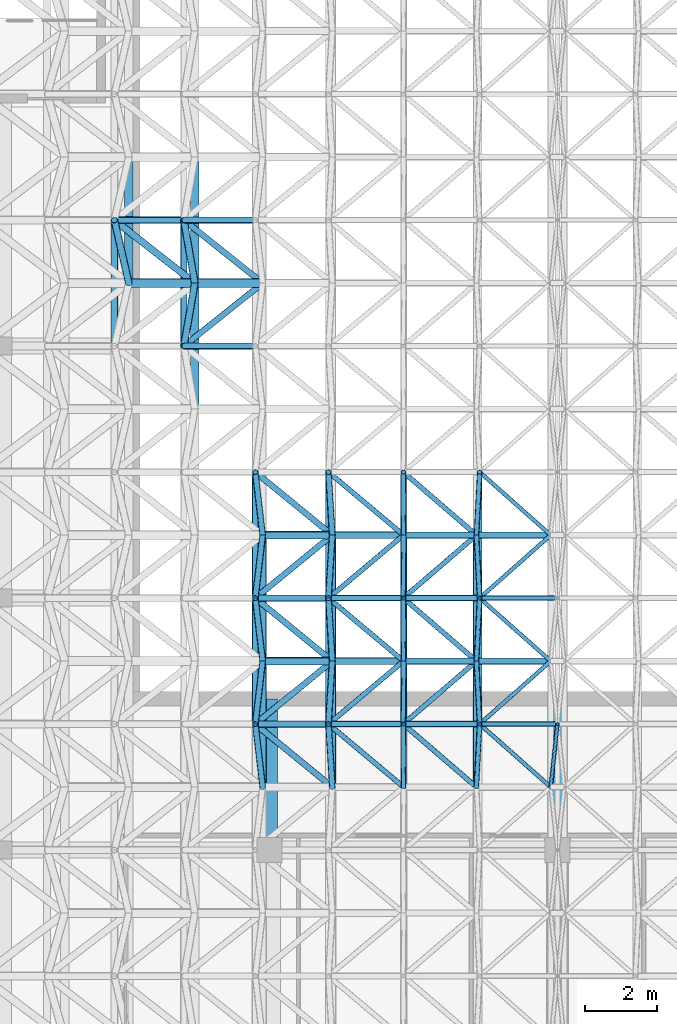
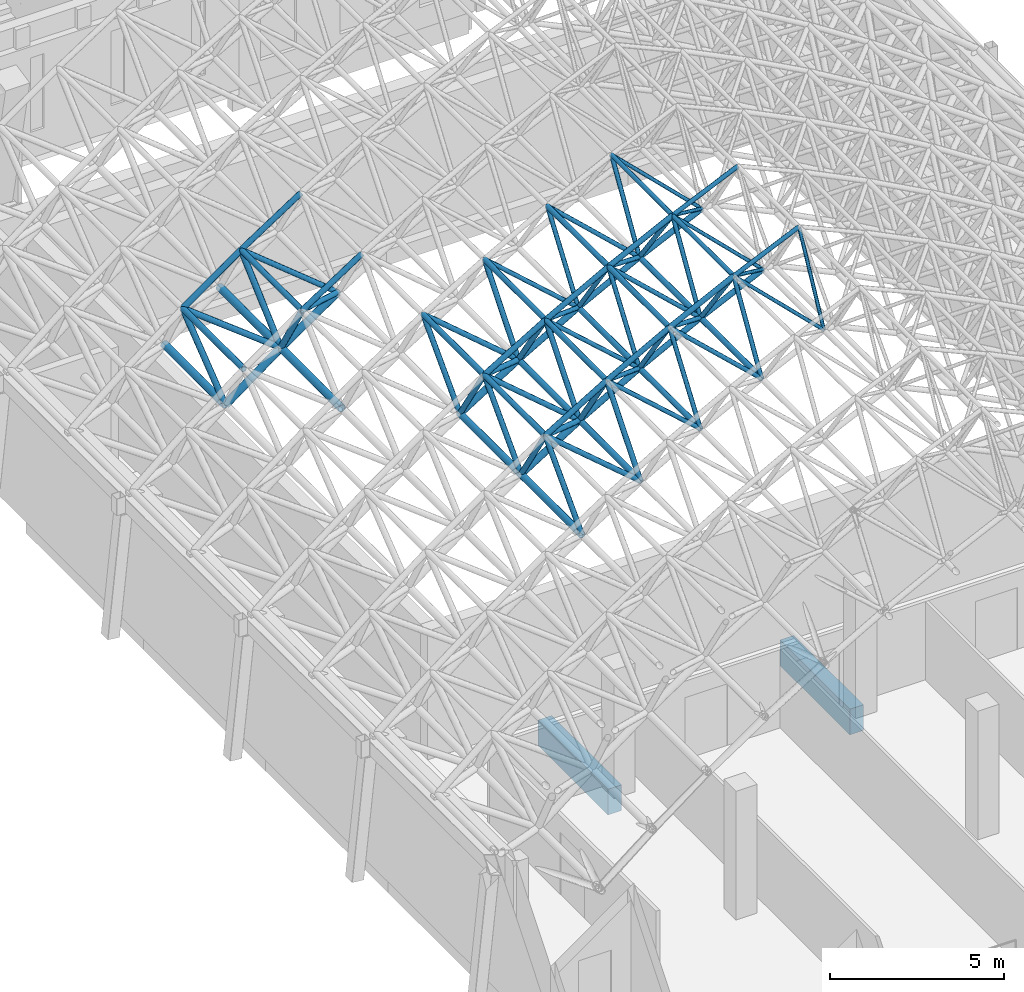
# One storey, part 44 of 141: 89 members, 2 beams.
"""IFC4 building model written with IfcOpenShell, lengths in metres."""

import ifcopenshell
import ifcopenshell.guid

model = None  # the IFC model being written
_history = None  # IfcOwnerHistory: only IFC2X3 demands one
_inside = {}  # id of a spatial element -> (the spatial element, [elements in it])
_under = {}  # id of a project, library or spatial element -> (it, [spatial elements below it])
_declared = {}  # id of a project -> (the project, [libraries it declares])
_typed = {}  # id of a type object -> (the type object, [elements of that type])
_made_of = {}  # id of a material, layer set ... -> (it, [elements and type objects made of it])


def new_model(schema):
    """Start an empty IFC model of exactly this schema.

    Asked for "IFC4X3", IfcOpenShell would pick the latest addendum, in which some entities
    have other attributes; the version numbers below select the first issue.
    IFC2X3 requires an IfcOwnerHistory on every rooted entity: one is made here for all.
    """
    global model, _history
    if schema == "IFC4X3":
        model = ifcopenshell.file(schema_version=(4, 3, 0, 0))
    else:
        model = ifcopenshell.file(schema=schema)
    _inside.clear()
    _under.clear()
    _declared.clear()
    _typed.clear()
    _made_of.clear()
    _history = None
    if model.schema == "IFC2X3":
        org = make("IfcOrganization", Name="unknown")
        user = make(
            "IfcPersonAndOrganization",
            ThePerson=make("IfcPerson", FamilyName="unknown"),
            TheOrganization=org,
        )
        app = make(
            "IfcApplication",
            ApplicationDeveloper=org,
            Version="unknown",
            ApplicationFullName="unknown",
            ApplicationIdentifier="unknown",
        )
        _history = make(
            "IfcOwnerHistory",
            OwningUser=user,
            OwningApplication=app,
            ChangeAction="ADDED",
            CreationDate=0,
        )
    return model


def make(cls, **values):
    """One entity of the class cls with the attributes given. An attribute that is None is left unset."""
    return model.create_entity(
        cls, **{name: value for name, value in values.items() if value is not None}
    )


def rooted(cls, **values):
    """An entity with a GlobalId (a new one), such as an element, a storey or a relation."""
    return make(cls, GlobalId=ifcopenshell.guid.new(), OwnerHistory=_history, **values)


def si_unit(unit_type, name, prefix=None):
    """IfcSIUnit, for example si_unit("LENGTHUNIT", "METRE", prefix="MILLI")."""
    return make("IfcSIUnit", UnitType=unit_type, Prefix=prefix, Name=name)


def assignment(units):
    """IfcUnitAssignment: the units of a project."""
    return None if units is None else make("IfcUnitAssignment", Units=units)


def point(xyz):
    """IfcCartesianPoint."""
    return None if xyz is None else make("IfcCartesianPoint", Coordinates=xyz)


def direction(xyz):
    """IfcDirection."""
    return None if xyz is None else make("IfcDirection", DirectionRatios=xyz)


def frame(location, z_axis=None, x_axis=None):
    """IfcAxis2Placement3D, a coordinate frame: its origin and axes. An axis left out is left unset."""
    return make(
        "IfcAxis2Placement3D",
        Location=point(location),
        Axis=direction(z_axis),
        RefDirection=direction(x_axis),
    )


def frame_2d(location, x_axis=None):
    """IfcAxis2Placement2D, a coordinate frame in the plane: its origin and x axis."""
    return make(
        "IfcAxis2Placement2D", Location=point(location), RefDirection=direction(x_axis)
    )


def origin():
    """The frame at (0, 0, 0) with its axes left unset."""
    return frame((0.0, 0.0, 0.0))


def origin_2d():
    """The frame at (0, 0) in the plane with its x axis left unset."""
    return frame_2d((0.0, 0.0))


def place(relative_to, where):
    """IfcLocalPlacement: puts the frame where relative to a parent placement (None: the world)."""
    return make(
        "IfcLocalPlacement", PlacementRelTo=relative_to, RelativePlacement=where
    )


def context(
    kind, dimensions, precision=None, world=None, true_north=None, identifier=None
):
    """IfcGeometricRepresentationContext, for example the 3D "Model" context."""
    return make(
        "IfcGeometricRepresentationContext",
        ContextIdentifier=identifier,
        ContextType=kind,
        CoordinateSpaceDimension=dimensions,
        Precision=precision,
        WorldCoordinateSystem=world,
        TrueNorth=true_north,
    )


def subcontext(parent, identifier, kind, view, scale=None):
    """IfcGeometricRepresentationSubContext, for example "Body" below "Model"."""
    return make(
        "IfcGeometricRepresentationSubContext",
        ContextIdentifier=identifier,
        ContextType=kind,
        ParentContext=parent,
        TargetScale=scale,
        TargetView=view,
    )


def project(units=None, contexts=None):
    """IfcProject with its units and contexts."""
    return rooted(
        "IfcProject",
        Name="project",
        RepresentationContexts=contexts,
        UnitsInContext=assignment(units),
    )


def spatial(cls, under=None, at=None, **own):
    """A site, building, storey or space (cls), placed at a placement, below another one or the project."""
    s = rooted(cls, ObjectPlacement=at, **own)
    if under is not None:
        _under.setdefault(under.id(), (under, []))[1].append(s)
    return s


def profile(cls, at=None, kind="AREA", **sizes):
    """A parametric profile (cls). Its sizes go by their IFC names, for example OverallWidth=200.0."""
    return make(cls, ProfileType=kind, Position=at, **sizes)


def rectangle(**sizes):
    """IfcRectangleProfileDef."""
    return profile("IfcRectangleProfileDef", **sizes)


def hollow_circle(**sizes):
    """IfcCircleHollowProfileDef."""
    return profile("IfcCircleHollowProfileDef", **sizes)


def extrude(swept, where, along, depth):
    """IfcExtrudedAreaSolid: the profile swept, set in the frame where, extruded along a direction by depth."""
    return make(
        "IfcExtrudedAreaSolid",
        SweptArea=swept,
        Position=where,
        ExtrudedDirection=direction(along),
        Depth=depth,
    )


def shape(context_of_items, identifier, shape_type, items):
    """IfcShapeRepresentation: the items that make up one representation, for example the "Body"."""
    return make(
        "IfcShapeRepresentation",
        ContextOfItems=context_of_items,
        RepresentationIdentifier=identifier,
        RepresentationType=shape_type,
        Items=items,
    )


def material(Name=None, Category=None):
    """IfcMaterial."""
    return make("IfcMaterial", Name=Name, Category=Category)


def material_profile(
    of_material, cross_section, Name=None, Category=None, Priority=None
):
    """IfcMaterialProfile: a cross section and its material."""
    return make(
        "IfcMaterialProfile",
        Name=Name,
        Material=of_material,
        Profile=cross_section,
        Priority=Priority,
        Category=Category,
    )


def profile_set(profiles, Name=None, composite=None):
    """IfcMaterialProfileSet."""
    return make(
        "IfcMaterialProfileSet",
        Name=Name,
        MaterialProfiles=profiles,
        CompositeProfile=composite,
    )


def made_of(thing, what):
    """Note that an element or type object is made of a material, layer set ...; save() writes the relation."""
    if what is not None:
        _made_of.setdefault(what.id(), (what, []))[1].append(thing)
    return thing


def type_object(cls, material=None, **own):
    """A type object (cls), such as IfcWallType, which elements share."""
    return made_of(rooted(cls, **own), material)


def element(
    cls,
    number,
    at=None,
    inside=None,
    cuts=None,
    type_object=None,
    material=None,
    context=None,
    identifier="Body",
    shape_type=None,
    held_by="IfcProductDefinitionShape",
    body=None,
    shapes=None,
    **own,
):
    """One element of the class cls, such as IfcWall. Its Tag is "e" and its number.

    at: its placement. inside: the storey or other place that contains it. cuts: it is an
    opening in that element (IfcRelVoidsElement). A single representation is given by context,
    identifier, shape_type and body (its items); several are given by shapes. held_by: the class
    of the entity that holds the representations. save() writes the other relations.
    """
    e = rooted(cls, Tag="e%d" % number, ObjectPlacement=at, **own)
    if body is not None:
        shapes = [shape(context, identifier, shape_type, body)]
    if shapes is not None:
        e.Representation = make(held_by, Representations=shapes)
    if inside is not None:
        _inside.setdefault(inside.id(), (inside, []))[1].append(e)
    if cuts is not None:
        rooted(
            "IfcRelVoidsElement", RelatingBuildingElement=cuts, RelatedOpeningElement=e
        )
    if type_object is not None:
        _typed.setdefault(type_object.id(), (type_object, []))[1].append(e)
    return made_of(e, material)


def aggregate(whole, parts):
    """IfcRelAggregates: a whole, such as a stair, and the parts it consists of."""
    return rooted("IfcRelAggregates", RelatingObject=whole, RelatedObjects=parts)


def save(model, path):
    """Write the relations noted so far, then the file.

    IfcRelAggregates (storeys below a building ...), IfcRelContainedInSpatialStructure (elements
    in a storey), IfcRelDefinesByType, IfcRelAssociatesMaterial and IfcRelDeclares: one each for
    every whole, place, type object, material and project.
    """
    for whole, parts in _under.values():
        aggregate(whole, parts)
    for where, things in _inside.values():
        rooted(
            "IfcRelContainedInSpatialStructure",
            RelatedElements=things,
            RelatingStructure=where,
        )
    for kind, things in _typed.values():
        rooted("IfcRelDefinesByType", RelatedObjects=things, RelatingType=kind)
    for what, things in _made_of.values():
        rooted("IfcRelAssociatesMaterial", RelatedObjects=things, RelatingMaterial=what)
    for by, libraries in _declared.values():
        rooted("IfcRelDeclares", RelatingContext=by, RelatedDefinitions=libraries)
    model.write(path)


model = new_model("IFC4")

# Units and contexts
model_context = context("Model", 3, precision=1e-05, world=origin(), true_north=direction((0.0, 1.0)))
body_context = subcontext(model_context, "Body", "Model", "MODEL_VIEW")
ifc_project = project(units=[si_unit("LENGTHUNIT", "METRE"), si_unit("AREAUNIT", "SQUARE_METRE"), si_unit("VOLUMEUNIT", "CUBIC_METRE"), si_unit("PLANEANGLEUNIT", "RADIAN"), si_unit("MASSUNIT", "GRAM", prefix="KILO")], contexts=[model_context])

# Site, building, storey
site_placement = place(None, origin())
site = spatial("IfcSite", under=ifc_project, at=site_placement, CompositionType="ELEMENT")
building_placement = place(site_placement, origin())
building = spatial("IfcBuilding", under=site, at=building_placement, Name="Lantern Court Media Centre", CompositionType="ELEMENT")
storey_placement = place(building_placement, frame((0.0, 0.0, 9.60009765625)))
storey = spatial("IfcBuildingStorey", under=building, at=storey_placement, Name="L02", CompositionType="ELEMENT", Elevation=9.60009765625)

# Beams
ifc_material_1 = material(Name="Concrete C35", Category="concrete")
ifc_material_profile_1 = material_profile(ifc_material_1, rectangle(XDim=0.449951171875, YDim=0.89990234375, at=origin_2d()), Name="RC 450x900")
ifc_profile_set_1 = profile_set([ifc_material_profile_1], Name="Concrete C35")
beam_type = type_object("IfcBeamType", Name="RC BEAM 450x900", PredefinedType="BEAM", material=ifc_profile_set_1)
for number, where, z_axis, x_axis, name in (
    (1, (80.0, 12.199951171875, -0.4501953125), (0.0, 1.0, 0.0), (-1.0, 0.0, 0.0), "HB-V2-L02-FY1-2"),
    (2, (88.0, 12.199951171875, -0.4501953125), (0.0, 1.0, 0.0), (-1.0, 0.0, 0.0), "HB-V2-L02-FY2-2"),
):
    element("IfcBeam", number, at=place(storey_placement, frame(where, z_axis=z_axis, x_axis=x_axis)), inside=storey, type_object=beam_type, Name=name, PredefinedType="BEAM", context=body_context, shape_type="SweptSolid", body=[
        extrude(rectangle(XDim=0.449951171875, YDim=0.89990234375, at=origin_2d()), origin(), (0.0, 0.0, 1.0), 4.0),
    ])

# Members
ifc_material_2 = material(Name="Steel S355J2 (EN 10025-2)", Category="steel")
ifc_material_profile_2 = material_profile(ifc_material_2, hollow_circle(Radius=0.0888671875, WallThickness=0.008056640625, at=origin_2d()), Name="Studio Hall bottom CHS 177.8x8")
ifc_profile_set_2 = profile_set([ifc_material_profile_2], Name="Steel S355J2 (EN 10025-2)")
member_type_1 = type_object("IfcMemberType", Name="Studio Hall bottom CHS 177.8x8", PredefinedType="CHORD", material=ifc_profile_set_2)
for number, where, z_axis, x_axis, name in (
    (3, (83.724365234375, 13.75, 10.2939453125), (0.0, 1.0, 0.0), (-1.0, 0.0, 0.0), "Studio Hall bottom chord 06-05"),
    (4, (85.748291015625, 13.75, 11.3466796875), (0.0, 1.0, 0.0), (-1.0, 0.0, 0.0), "Studio Hall bottom chord 07-05"),
    (5, (83.724365234375, 17.25, 10.2939453125), (0.0, 1.0, 0.0), (-1.0, 0.0, 0.0), "Studio Hall bottom chord 06-06"),
    (6, (85.748291015625, 17.25, 11.3466796875), (0.0, 1.0, 0.0), (-1.0, 0.0, 0.0), "Studio Hall bottom chord 07-06"),
):
    element("IfcMember", number, at=place(storey_placement, frame(where, z_axis=z_axis, x_axis=x_axis)), inside=storey, type_object=member_type_1, Name=name, PredefinedType="CHORD", context=body_context, shape_type="SweptSolid", body=[
        extrude(hollow_circle(Radius=0.0888671875, WallThickness=0.008056640625, at=origin_2d()), origin(), (0.0, 0.0, 1.0), 3.5),
    ])
member_1_placement = place(storey_placement, frame((83.724365234375, 17.25, 10.2939453125), z_axis=(0.887164230848, 0.0, 0.461453819471), x_axis=(0.0, 1.0, 0.0)))
element("IfcMember", 7, at=member_1_placement, inside=storey, type_object=member_type_1, Name="Studio Hall bottom chord 06-06 across", PredefinedType="CHORD", context=body_context, shape_type="SweptSolid", body=[
    extrude(hollow_circle(Radius=0.0888671875, WallThickness=0.008056640625, at=origin_2d()), origin(), (0.0, 0.0, 1.0), 2.28125),
])
member_2_placement = place(storey_placement, frame((85.748291015625, 17.25, 11.3466796875), z_axis=(0.904668285171, 0.0, 0.426116526088), x_axis=(0.0, 1.0, 0.0)))
element("IfcMember", 8, at=member_2_placement, inside=storey, type_object=member_type_1, Name="Studio Hall bottom chord 07-06 across", PredefinedType="CHORD", context=body_context, shape_type="SweptSolid", body=[
    extrude(hollow_circle(Radius=0.0888671875, WallThickness=0.008056640625, at=origin_2d()), origin(), (0.0, 0.0, 1.0), 2.281494140625),
])
member_3_placement = place(storey_placement, frame((83.724365234375, 20.75, 10.2939453125), z_axis=(0.887164230848, 0.0, 0.461453819471), x_axis=(0.0, 1.0, 0.0)))
element("IfcMember", 9, at=member_3_placement, inside=storey, type_object=member_type_1, Name="Studio Hall bottom chord 06-07 across", PredefinedType="CHORD", context=body_context, shape_type="SweptSolid", body=[
    extrude(hollow_circle(Radius=0.0888671875, WallThickness=0.008056640625, at=origin_2d()), origin(), (0.0, 0.0, 1.0), 2.28125),
])
member_4_placement = place(storey_placement, frame((85.748291015625, 20.75, 11.3466796875), z_axis=(0.904668285171, 0.0, 0.426116526088), x_axis=(0.0, 1.0, 0.0)))
element("IfcMember", 10, at=member_4_placement, inside=storey, type_object=member_type_1, Name="Studio Hall bottom chord 07-07 across", PredefinedType="CHORD", context=body_context, shape_type="SweptSolid", body=[
    extrude(hollow_circle(Radius=0.0888671875, WallThickness=0.008056640625, at=origin_2d()), origin(), (0.0, 0.0, 1.0), 2.281494140625),
])
ifc_material_profile_3 = material_profile(ifc_material_2, hollow_circle(Radius=0.096923828125, WallThickness=0.008056640625, at=origin_2d()), Name="Studio Hall bottom CHS 193.7x8")
ifc_profile_set_3 = profile_set([ifc_material_profile_3], Name="Steel S355J2 (EN 10025-2)")
member_type_2 = type_object("IfcMemberType", Name="Studio Hall bottom CHS 193.7x8", PredefinedType="CHORD", material=ifc_profile_set_3)
for number, where, z_axis, x_axis, name in (
    (11, (81.74365234375, 13.75, 9.162109375), (0.0, 1.0, 0.0), (-1.0, 0.0, 0.0), "Studio Hall bottom chord 05-05"),
    (12, (81.74365234375, 17.25, 9.162109375), (0.0, 1.0, 0.0), (-1.0, 0.0, 0.0), "Studio Hall bottom chord 05-06"),
):
    element("IfcMember", number, at=place(storey_placement, frame(where, z_axis=z_axis, x_axis=x_axis)), inside=storey, type_object=member_type_2, Name=name, PredefinedType="CHORD", context=body_context, shape_type="SweptSolid", body=[
        extrude(hollow_circle(Radius=0.096923828125, WallThickness=0.008056640625, at=origin_2d()), origin(), (0.0, 0.0, 1.0), 3.5),
    ])
for number, where, z_axis, x_axis, name in (
    (13, (81.74365234375, 17.25, 9.162109375), (0.868243142124, 0.0, 0.496138938357), (0.0, 1.0, 0.0), "Studio Hall bottom chord 05-06 across"),
    (14, (81.74365234375, 20.75, 9.162109375), (0.868243142124, 0.0, 0.496138938357), (0.0, 1.0, 0.0), "Studio Hall bottom chord 05-07 across"),
):
    element("IfcMember", number, at=place(storey_placement, frame(where, z_axis=z_axis, x_axis=x_axis)), inside=storey, type_object=member_type_2, Name=name, PredefinedType="CHORD", context=body_context, shape_type="SweptSolid", body=[
        extrude(hollow_circle(Radius=0.096923828125, WallThickness=0.008056640625, at=origin_2d()), origin(), (0.0, 0.0, 1.0), 2.28125),
    ])
ifc_material_profile_4 = material_profile(ifc_material_2, hollow_circle(Radius=0.109619140625, WallThickness=0.010009765625, at=origin_2d()), Name="Studio Hall bottom CHS 219.1x10")
ifc_profile_set_4 = profile_set([ifc_material_profile_4], Name="Steel S355J2 (EN 10025-2)")
member_type_3 = type_object("IfcMemberType", Name="Studio Hall bottom CHS 219.1x10", PredefinedType="CHORD", material=ifc_profile_set_4)
for number, where, z_axis, x_axis, name in (
    (15, (79.80908203125, 13.75, 7.953125), (0.0, 1.0, 0.0), (-1.0, 0.0, 0.0), "Studio Hall bottom chord 04-05"),
    (16, (79.80908203125, 17.25, 7.953125), (0.0, 1.0, 0.0), (-1.0, 0.0, 0.0), "Studio Hall bottom chord 04-06"),
):
    element("IfcMember", number, at=place(storey_placement, frame(where, z_axis=z_axis, x_axis=x_axis)), inside=storey, type_object=member_type_3, Name=name, PredefinedType="CHORD", context=body_context, shape_type="SweptSolid", body=[
        extrude(hollow_circle(Radius=0.109619140625, WallThickness=0.010009765625, at=origin_2d()), origin(), (0.0, 0.0, 1.0), 3.5),
    ])
for number, where, z_axis, x_axis, name in (
    (17, (79.80908203125, 17.25, 7.953125), (0.848022352453, 0.0, 0.529960460544), (0.0, 1.0, 0.0), "Studio Hall bottom chord 04-06 across"),
    (18, (79.80908203125, 20.75, 7.953125), (0.848022352453, 0.0, 0.529960460544), (0.0, 1.0, 0.0), "Studio Hall bottom chord 04-07 across"),
):
    element("IfcMember", number, at=place(storey_placement, frame(where, z_axis=z_axis, x_axis=x_axis)), inside=storey, type_object=member_type_3, Name=name, PredefinedType="CHORD", context=body_context, shape_type="SweptSolid", body=[
        extrude(hollow_circle(Radius=0.109619140625, WallThickness=0.010009765625, at=origin_2d()), origin(), (0.0, 0.0, 1.0), 2.28125),
    ])
ifc_material_profile_5 = material_profile(ifc_material_2, hollow_circle(Radius=0.122314453125, WallThickness=0.012451171875, at=origin_2d()), Name="Studio Hall bottom CHS 244.5x12.5")
ifc_profile_set_5 = profile_set([ifc_material_profile_5], Name="Steel S355J2 (EN 10025-2)")
member_type_4 = type_object("IfcMemberType", Name="Studio Hall bottom CHS 244.5x12.5", PredefinedType="CHORD", material=ifc_profile_set_5)
for number, where, z_axis, x_axis, name in (
    (19, (77.923828125, 24.25, 6.66845703125), (0.0, 1.0, 0.0), (-1.0, 0.0, 0.0), "Studio Hall bottom chord 03-08"),
    (20, (77.923828125, 27.75, 6.66845703125), (0.0, 1.0, 0.0), (-1.0, 0.0, 0.0), "Studio Hall bottom chord 03-09"),
):
    element("IfcMember", number, at=place(storey_placement, frame(where, z_axis=z_axis, x_axis=x_axis)), inside=storey, type_object=member_type_4, Name=name, PredefinedType="CHORD", context=body_context, shape_type="SweptSolid", body=[
        extrude(hollow_circle(Radius=0.122314453125, WallThickness=0.012451171875, at=origin_2d()), origin(), (0.0, 0.0, 1.0), 3.5),
    ])
member_5_placement = place(storey_placement, frame((77.923828125, 27.75, 6.66845703125), z_axis=(0.826376743552, 0.0, 0.563117641099), x_axis=(0.0, 1.0, 0.0)))
element("IfcMember", 21, at=member_5_placement, inside=storey, type_object=member_type_4, Name="Studio Hall bottom chord 03-09 across", PredefinedType="CHORD", context=body_context, shape_type="SweptSolid", body=[
    extrude(hollow_circle(Radius=0.122314453125, WallThickness=0.012451171875, at=origin_2d()), origin(), (0.0, 0.0, 1.0), 2.28125),
])
ifc_material_profile_6 = material_profile(ifc_material_2, hollow_circle(Radius=0.122314453125, WallThickness=0.01611328125, at=origin_2d()), Name="Studio Hall bottom CHS 244.5x16")
ifc_profile_set_6 = profile_set([ifc_material_profile_6], Name="Steel S355J2 (EN 10025-2)")
member_type_5 = type_object("IfcMemberType", Name="Studio Hall bottom CHS 244.5x16", PredefinedType="CHORD", material=ifc_profile_set_6)
member_6_placement = place(storey_placement, frame((76.090576171875, 27.75, 5.310546875), z_axis=(0.0, 1.0, 0.0), x_axis=(-1.0, 0.0, 0.0)))
element("IfcMember", 22, at=member_6_placement, inside=storey, type_object=member_type_5, Name="Studio Hall bottom chord 02-09", PredefinedType="CHORD", context=body_context, shape_type="SweptSolid", body=[
    extrude(hollow_circle(Radius=0.122314453125, WallThickness=0.01611328125, at=origin_2d()), origin(), (0.0, 0.0, 1.0), 3.5),
])
member_7_placement = place(storey_placement, frame((76.090576171875, 27.75, 5.310546875), z_axis=(0.803568567589, 0.0, 0.59521219509), x_axis=(0.0, 1.0, 0.0)))
element("IfcMember", 23, at=member_7_placement, inside=storey, type_object=member_type_5, Name="Studio Hall bottom chord 02-09 across", PredefinedType="CHORD", context=body_context, shape_type="SweptSolid", body=[
    extrude(hollow_circle(Radius=0.122314453125, WallThickness=0.01611328125, at=origin_2d()), origin(), (0.0, 0.0, 1.0), 2.281494140625),
])
ifc_material_profile_7 = material_profile(ifc_material_2, hollow_circle(Radius=0.05712890625, WallThickness=0.0048828125, at=origin_2d()), Name="Studio Hall diagonal CHS 114.3x5")
ifc_profile_set_7 = profile_set([ifc_material_profile_7], Name="Steel S355J2 (EN 10025-2)")
member_type_6 = type_object("IfcMemberType", Name="Studio Hall diagonal CHS 114.3x5", PredefinedType="BRACE", material=ifc_profile_set_7)
member_8_placement = place(storey_placement, frame((87.812255859375, 13.75, 12.31884765625), z_axis=(0.061720233377, 0.575306414621, 0.815605996844), x_axis=(-0.994294451035, 0.106670261279, 0.0)))
element("IfcMember", 24, at=member_8_placement, inside=storey, type_object=member_type_6, Name="Studio Hall diagonal 08-05-3", PredefinedType="BRACE", context=body_context, shape_type="SweptSolid", body=[
    extrude(hollow_circle(Radius=0.05712890625, WallThickness=0.0048828125, at=origin_2d()), origin(), (0.0, 0.0, 1.0), 3.041748046875),
])
for number, where, z_axis, x_axis, name in (
    (25, (87.812255859375, 13.75, 12.31884765625), (-0.64897917405, 0.57530085575, 0.497850335967), (-0.663352272412, -0.748307264889, 0.0), "Studio Hall diagonal 08-05-4"),
    (26, (87.812255859375, 17.25, 12.31884765625), (-0.64897917405, -0.57530085575, 0.497850335967), (0.663352272412, -0.748307264889, 0.0), "Studio Hall diagonal 08-06-1"),
    (27, (87.812255859375, 17.25, 12.31884765625), (-0.64897917405, 0.57530085575, 0.497850335967), (-0.663352272412, -0.748307264889, 0.0), "Studio Hall diagonal 08-06-4"),
    (28, (87.812255859375, 20.75, 12.31884765625), (-0.64897917405, -0.57530085575, 0.497850335967), (0.663352272412, -0.748307264889, 0.0), "Studio Hall diagonal 08-07-1"),
    (29, (87.812255859375, 20.75, 12.31884765625), (-0.64897917405, 0.57530085575, 0.497850335967), (-0.663352272412, -0.748307264889, 0.0), "Studio Hall diagonal 08-07-4"),
):
    element("IfcMember", number, at=place(storey_placement, frame(where, z_axis=z_axis, x_axis=x_axis)), inside=storey, type_object=member_type_6, Name=name, PredefinedType="BRACE", context=body_context, shape_type="SweptSolid", body=[
        extrude(hollow_circle(Radius=0.05712890625, WallThickness=0.0048828125, at=origin_2d()), origin(), (0.0, 0.0, 1.0), 3.0419921875),
    ])
ifc_material_profile_8 = material_profile(ifc_material_2, hollow_circle(Radius=0.06982421875, WallThickness=0.00634765625, at=origin_2d()), Name="Studio Hall diagonal CHS 139.7x6.3")
ifc_profile_set_8 = profile_set([ifc_material_profile_8], Name="Steel S355J2 (EN 10025-2)")
member_type_7 = type_object("IfcMemberType", Name="Studio Hall diagonal CHS 139.7x6.3", PredefinedType="BRACE", material=ifc_profile_set_8)
for number, where, z_axis, x_axis, name in (
    (30, (83.724365234375, 13.75, 10.2939453125), (-0.002728673556, 0.575268589684, 0.817960025957), (-0.999988750725, -0.004743250213, 0.0), "Studio Hall diagonal 06-05-3"),
    (31, (83.724365234375, 13.75, 10.2939453125), (-0.686219606918, 0.575300835367, 0.445119759061), (-0.642456097081, -0.76632249303, 0.0), "Studio Hall diagonal 06-05-4"),
    (32, (85.748291015625, 13.75, 11.3466796875), (0.029534674704, 0.575284098581, 0.817420276792), (-0.998684738299, 0.051271761118, 0.0), "Studio Hall diagonal 07-05-3"),
    (33, (85.748291015625, 13.75, 11.3466796875), (-0.668074997838, 0.575295721349, 0.471922271419), (-0.652528943422, -0.757763800927, 0.0), "Studio Hall diagonal 07-05-4"),
    (34, (83.724365234375, 17.25, 10.2939453125), (-0.686219606918, -0.575300835367, 0.445119759061), (0.642456097081, -0.76632249303, 0.0), "Studio Hall diagonal 06-06-1"),
    (35, (83.724365234375, 17.25, 10.2939453125), (-0.002728673556, -0.575268589684, 0.817960025957), (0.999988750725, -0.004743250213, 0.0), "Studio Hall diagonal 06-06-2"),
    (36, (83.724365234375, 17.25, 10.2939453125), (-0.002728673556, 0.575268589684, 0.817960025957), (-0.999988750725, -0.004743250213, 0.0), "Studio Hall diagonal 06-06-3"),
    (37, (83.724365234375, 17.25, 10.2939453125), (-0.686219606918, 0.575300835367, 0.445119759061), (-0.642456097081, -0.76632249303, 0.0), "Studio Hall diagonal 06-06-4"),
    (38, (85.748291015625, 17.25, 11.3466796875), (-0.668074997838, -0.575295721349, 0.471922271419), (0.652528943422, -0.757763800927, 0.0), "Studio Hall diagonal 07-06-1"),
    (39, (85.748291015625, 17.25, 11.3466796875), (0.029534674704, -0.575284098581, 0.817420276792), (0.998684738299, 0.051271761118, 0.0), "Studio Hall diagonal 07-06-2"),
    (40, (85.748291015625, 17.25, 11.3466796875), (0.029534674704, 0.575284098581, 0.817420276792), (-0.998684738299, 0.051271761118, 0.0), "Studio Hall diagonal 07-06-3"),
    (41, (85.748291015625, 17.25, 11.3466796875), (-0.668074997838, 0.575295721349, 0.471922271419), (-0.652528943422, -0.757763800927, 0.0), "Studio Hall diagonal 07-06-4"),
    (42, (83.724365234375, 20.75, 10.2939453125), (-0.686219606918, -0.575300835367, 0.445119759061), (0.642456097081, -0.76632249303, 0.0), "Studio Hall diagonal 06-07-1"),
    (43, (83.724365234375, 20.75, 10.2939453125), (-0.002728673556, -0.575268589684, 0.817960025957), (0.999988750725, -0.004743250213, 0.0), "Studio Hall diagonal 06-07-2"),
    (44, (83.724365234375, 20.75, 10.2939453125), (-0.002728673556, 0.575268589684, 0.817960025957), (-0.999988750725, -0.004743250213, 0.0), "Studio Hall diagonal 06-07-3"),
    (45, (83.724365234375, 20.75, 10.2939453125), (-0.686219606918, 0.575300835367, 0.445119759061), (-0.642456097081, -0.76632249303, 0.0), "Studio Hall diagonal 06-07-4"),
    (46, (85.748291015625, 20.75, 11.3466796875), (-0.668074997838, -0.575295721349, 0.471922271419), (0.652528943422, -0.757763800927, 0.0), "Studio Hall diagonal 07-07-1"),
    (47, (85.748291015625, 20.75, 11.3466796875), (0.029534674704, -0.575284098581, 0.817420276792), (0.998684738299, 0.051271761118, 0.0), "Studio Hall diagonal 07-07-2"),
    (48, (85.748291015625, 20.75, 11.3466796875), (0.029534674704, 0.575284098581, 0.817420276792), (-0.998684738299, 0.051271761118, 0.0), "Studio Hall diagonal 07-07-3"),
    (49, (85.748291015625, 20.75, 11.3466796875), (-0.668074997838, 0.575295721349, 0.471922271419), (-0.652528943422, -0.757763800927, 0.0), "Studio Hall diagonal 07-07-4"),
):
    element("IfcMember", number, at=place(storey_placement, frame(where, z_axis=z_axis, x_axis=x_axis)), inside=storey, type_object=member_type_7, Name=name, PredefinedType="BRACE", context=body_context, shape_type="SweptSolid", body=[
        extrude(hollow_circle(Radius=0.06982421875, WallThickness=0.00634765625, at=origin_2d()), origin(), (0.0, 0.0, 1.0), 3.0419921875),
    ])
ifc_material_profile_9 = material_profile(ifc_material_2, hollow_circle(Radius=0.084228515625, WallThickness=0.00634765625, at=origin_2d()), Name="Studio Hall diagonal CHS 168.3x6.3")
ifc_profile_set_9 = profile_set([ifc_material_profile_9], Name="Steel S355J2 (EN 10025-2)")
member_type_8 = type_object("IfcMemberType", Name="Studio Hall diagonal CHS 168.3x6.3", PredefinedType="BRACE", material=ifc_profile_set_9)
for number, where, z_axis, x_axis, name in (
    (50, (81.74365234375, 13.75, 9.162109375), (-0.035073053804, 0.575294392838, 0.817194127773), (-0.99814677432, -0.060852419138, 0.0), "Studio Hall diagonal 05-05-3"),
    (51, (81.74365234375, 13.75, 9.162109375), (-0.703225463004, 0.575293325589, 0.417745781207), (-0.633189685482, -0.77399665516, 0.0), "Studio Hall diagonal 05-05-4"),
    (52, (81.74365234375, 17.25, 9.162109375), (-0.703225463004, -0.575293325589, 0.417745781207), (0.633189685482, -0.77399665516, 0.0), "Studio Hall diagonal 05-06-1"),
    (53, (81.74365234375, 17.25, 9.162109375), (-0.035073053804, -0.575294392838, 0.817194127773), (0.99814677432, -0.060852419138, 0.0), "Studio Hall diagonal 05-06-2"),
    (54, (81.74365234375, 17.25, 9.162109375), (-0.035073053804, 0.575294392838, 0.817194127773), (-0.99814677432, -0.060852419138, 0.0), "Studio Hall diagonal 05-06-3"),
    (55, (81.74365234375, 17.25, 9.162109375), (-0.703225463004, 0.575293325589, 0.417745781207), (-0.633189685482, -0.77399665516, 0.0), "Studio Hall diagonal 05-06-4"),
    (56, (81.74365234375, 20.75, 9.162109375), (-0.703225463004, -0.575293325589, 0.417745781207), (0.633189685482, -0.77399665516, 0.0), "Studio Hall diagonal 05-07-1"),
    (57, (81.74365234375, 20.75, 9.162109375), (-0.035073053804, -0.575294392838, 0.817194127773), (0.99814677432, -0.060852419138, 0.0), "Studio Hall diagonal 05-07-2"),
    (58, (81.74365234375, 20.75, 9.162109375), (-0.035073053804, 0.575294392838, 0.817194127773), (-0.99814677432, -0.060852419138, 0.0), "Studio Hall diagonal 05-07-3"),
    (59, (81.74365234375, 20.75, 9.162109375), (-0.703225463004, 0.575293325589, 0.417745781207), (-0.633189685482, -0.77399665516, 0.0), "Studio Hall diagonal 05-07-4"),
):
    element("IfcMember", number, at=place(storey_placement, frame(where, z_axis=z_axis, x_axis=x_axis)), inside=storey, type_object=member_type_8, Name=name, PredefinedType="BRACE", context=body_context, shape_type="SweptSolid", body=[
        extrude(hollow_circle(Radius=0.084228515625, WallThickness=0.00634765625, at=origin_2d()), origin(), (0.0, 0.0, 1.0), 3.0419921875),
    ])
ifc_material_profile_10 = material_profile(ifc_material_2, hollow_circle(Radius=0.084228515625, WallThickness=0.008056640625, at=origin_2d()), Name="Studio Hall diagonal CHS 168.3x8")
ifc_profile_set_10 = profile_set([ifc_material_profile_10], Name="Steel S355J2 (EN 10025-2)")
member_type_9 = type_object("IfcMemberType", Name="Studio Hall diagonal CHS 168.3x8", PredefinedType="BRACE", material=ifc_profile_set_10)
for number, where, z_axis, x_axis, name in (
    (60, (79.80908203125, 13.75, 7.953125), (-0.067256187735, 0.575289204878, 0.815180308865), (-0.993235466132, -0.116117650756, 0.0), "Studio Hall diagonal 04-05-3"),
    (61, (79.80908203125, 17.25, 7.953125), (-0.067256187735, -0.575289204878, 0.815180308865), (0.993235466132, -0.116117650756, 0.0), "Studio Hall diagonal 04-06-2"),
    (62, (79.80908203125, 17.25, 7.953125), (-0.067256187735, 0.575289204878, 0.815180308865), (-0.993235466132, -0.116117650756, 0.0), "Studio Hall diagonal 04-06-3"),
    (63, (79.80908203125, 20.75, 7.953125), (-0.067256187735, -0.575289204878, 0.815180308865), (0.993235466132, -0.116117650756, 0.0), "Studio Hall diagonal 04-07-2"),
    (64, (79.80908203125, 20.75, 7.953125), (-0.067256187735, 0.575289204878, 0.815180308865), (-0.993235466132, -0.116117650756, 0.0), "Studio Hall diagonal 04-07-3"),
    (65, (79.80908203125, 27.75, 7.953125), (-0.719205791884, -0.57530042587, 0.38957983638), (0.624652537065, -0.780902815937, 0.0), "Studio Hall diagonal 04-09-1"),
    (66, (79.80908203125, 27.75, 7.953125), (-0.719205791884, 0.57530042587, 0.38957983638), (-0.624652537065, -0.780902815937, 0.0), "Studio Hall diagonal 04-09-4"),
):
    element("IfcMember", number, at=place(storey_placement, frame(where, z_axis=z_axis, x_axis=x_axis)), inside=storey, type_object=member_type_9, Name=name, PredefinedType="BRACE", context=body_context, shape_type="SweptSolid", body=[
        extrude(hollow_circle(Radius=0.084228515625, WallThickness=0.008056640625, at=origin_2d()), origin(), (0.0, 0.0, 1.0), 3.0419921875),
    ])
ifc_material_profile_11 = material_profile(ifc_material_2, hollow_circle(Radius=0.096923828125, WallThickness=0.010009765625, at=origin_2d()), Name="Studio Hall diagonal CHS 193.7x10")
ifc_profile_set_11 = profile_set([ifc_material_profile_11], Name="Steel S355J2 (EN 10025-2)")
member_type_10 = type_object("IfcMemberType", Name="Studio Hall diagonal CHS 193.7x10", PredefinedType="BRACE", material=ifc_profile_set_11)
member_9_placement = place(storey_placement, frame((76.090576171875, 27.75, 5.310546875), z_axis=(-0.13137534314, 0.575258680284, 0.807352444706), x_axis=(-0.97489985117, -0.222643841569, 0.0)))
element("IfcMember", 67, at=member_9_placement, inside=storey, type_object=member_type_10, Name="Studio Hall diagonal 02-09-3", PredefinedType="BRACE", context=body_context, shape_type="SweptSolid", body=[
    extrude(hollow_circle(Radius=0.096923828125, WallThickness=0.010009765625, at=origin_2d()), origin(), (0.0, 0.0, 1.0), 3.0419921875),
])
ifc_material_profile_12 = material_profile(ifc_material_2, hollow_circle(Radius=0.096923828125, WallThickness=0.008056640625, at=origin_2d()), Name="Studio Hall diagonal CHS 193.7x8")
ifc_profile_set_12 = profile_set([ifc_material_profile_12], Name="Steel S355J2 (EN 10025-2)")
member_type_11 = type_object("IfcMemberType", Name="Studio Hall diagonal CHS 193.7x8", PredefinedType="BRACE", material=ifc_profile_set_12)
for number, where, z_axis, x_axis, name in (
    (68, (77.923828125, 27.75, 6.66845703125), (-0.099439098635, -0.575286084759, 0.811885328323), (0.985387799185, -0.170325820758, 0.0), "Studio Hall diagonal 03-09-2"),
    (69, (77.923828125, 27.75, 6.66845703125), (-0.099439098635, 0.575286084759, 0.811885328323), (-0.985387799185, -0.170325820758, 0.0), "Studio Hall diagonal 03-09-3"),
    (70, (77.923828125, 27.75, 6.66845703125), (-0.734005385991, 0.57526247614, 0.360983624118), (-0.616855729008, -0.787076241282, 0.0), "Studio Hall diagonal 03-09-4"),
):
    element("IfcMember", number, at=place(storey_placement, frame(where, z_axis=z_axis, x_axis=x_axis)), inside=storey, type_object=member_type_11, Name=name, PredefinedType="BRACE", context=body_context, shape_type="SweptSolid", body=[
        extrude(hollow_circle(Radius=0.096923828125, WallThickness=0.008056640625, at=origin_2d()), origin(), (0.0, 0.0, 1.0), 3.0419921875),
    ])
ifc_material_profile_13 = material_profile(ifc_material_2, hollow_circle(Radius=0.06982421875, WallThickness=0.00634765625, at=origin_2d()), Name="Studio Hall top CHS 139.7x6.3")
ifc_profile_set_13 = profile_set([ifc_material_profile_13], Name="Steel S355J2 (EN 10025-2)")
member_type_12 = type_object("IfcMemberType", Name="Studio Hall top CHS 139.7x6.3", PredefinedType="CHORD", material=ifc_profile_set_13)
for number, where, z_axis, x_axis, name in (
    (71, (85.838134765625, 15.5, 13.833251953125), (0.0, 1.0, 0.0), (-1.0, 0.0, 0.0), "Studio Hall top chord 08-06"),
    (72, (85.838134765625, 19.0, 13.833251953125), (0.0, 1.0, 0.0), (-1.0, 0.0, 0.0), "Studio Hall top chord 08-07"),
):
    element("IfcMember", number, at=place(storey_placement, frame(where, z_axis=z_axis, x_axis=x_axis)), inside=storey, type_object=member_type_12, Name=name, PredefinedType="CHORD", context=body_context, shape_type="SweptSolid", body=[
        extrude(hollow_circle(Radius=0.06982421875, WallThickness=0.00634765625, at=origin_2d()), origin(), (0.0, 0.0, 1.0), 3.5),
    ])
for number, where, z_axis, x_axis, name in (
    (73, (85.838134765625, 15.5, 13.833251953125), (0.912912280931, 0.0, 0.408155812559), (0.0, 1.0, 0.0), "Studio Hall top chord 08-06 across"),
    (74, (85.838134765625, 19.0, 13.833251953125), (0.912912280931, 0.0, 0.408155812559), (0.0, 1.0, 0.0), "Studio Hall top chord 08-07 across"),
):
    element("IfcMember", number, at=place(storey_placement, frame(where, z_axis=z_axis, x_axis=x_axis)), inside=storey, type_object=member_type_12, Name=name, PredefinedType="CHORD", context=body_context, shape_type="SweptSolid", body=[
        extrude(hollow_circle(Radius=0.06982421875, WallThickness=0.00634765625, at=origin_2d()), origin(), (0.0, 0.0, 1.0), 2.3681640625),
    ])
ifc_material_profile_14 = material_profile(ifc_material_2, hollow_circle(Radius=0.084228515625, WallThickness=0.00634765625, at=origin_2d()), Name="Studio Hall top CHS 168.3x6.3")
ifc_profile_set_14 = profile_set([ifc_material_profile_14], Name="Steel S355J2 (EN 10025-2)")
member_type_13 = type_object("IfcMemberType", Name="Studio Hall top CHS 168.3x6.3", PredefinedType="CHORD", material=ifc_profile_set_14)
for number, where, z_axis, x_axis, name in (
    (75, (81.636962890625, 15.5, 11.64794921875), (0.0, 1.0, 0.0), (-1.0, 0.0, 0.0), "Studio Hall top chord 06-06"),
    (76, (83.716064453125, 15.5, 12.7822265625), (0.0, 1.0, 0.0), (-1.0, 0.0, 0.0), "Studio Hall top chord 07-06"),
    (77, (81.636962890625, 19.0, 11.64794921875), (0.0, 1.0, 0.0), (-1.0, 0.0, 0.0), "Studio Hall top chord 06-07"),
    (78, (83.716064453125, 19.0, 12.7822265625), (0.0, 1.0, 0.0), (-1.0, 0.0, 0.0), "Studio Hall top chord 07-07"),
):
    element("IfcMember", number, at=place(storey_placement, frame(where, z_axis=z_axis, x_axis=x_axis)), inside=storey, type_object=member_type_13, Name=name, PredefinedType="CHORD", context=body_context, shape_type="SweptSolid", body=[
        extrude(hollow_circle(Radius=0.084228515625, WallThickness=0.00634765625, at=origin_2d()), origin(), (0.0, 0.0, 1.0), 3.5),
    ])
member_10_placement = place(storey_placement, frame((81.636962890625, 15.5, 11.64794921875), z_axis=(0.877856175106, 0.0, 0.478924352929), x_axis=(0.0, 1.0, 0.0)))
element("IfcMember", 79, at=member_10_placement, inside=storey, type_object=member_type_13, Name="Studio Hall top chord 06-06 across", PredefinedType="CHORD", context=body_context, shape_type="SweptSolid", body=[
    extrude(hollow_circle(Radius=0.084228515625, WallThickness=0.00634765625, at=origin_2d()), origin(), (0.0, 0.0, 1.0), 2.368408203125),
])
member_11_placement = place(storey_placement, frame((83.716064453125, 15.5, 12.7822265625), z_axis=(0.89611157523, 0.0, 0.443828846222), x_axis=(0.0, 1.0, 0.0)))
element("IfcMember", 80, at=member_11_placement, inside=storey, type_object=member_type_13, Name="Studio Hall top chord 07-06 across", PredefinedType="CHORD", context=body_context, shape_type="SweptSolid", body=[
    extrude(hollow_circle(Radius=0.084228515625, WallThickness=0.00634765625, at=origin_2d()), origin(), (0.0, 0.0, 1.0), 2.3681640625),
])
member_12_placement = place(storey_placement, frame((81.636962890625, 19.0, 11.64794921875), z_axis=(0.877856175106, 0.0, 0.478924352929), x_axis=(0.0, 1.0, 0.0)))
element("IfcMember", 81, at=member_12_placement, inside=storey, type_object=member_type_13, Name="Studio Hall top chord 06-07 across", PredefinedType="CHORD", context=body_context, shape_type="SweptSolid", body=[
    extrude(hollow_circle(Radius=0.084228515625, WallThickness=0.00634765625, at=origin_2d()), origin(), (0.0, 0.0, 1.0), 2.368408203125),
])
member_13_placement = place(storey_placement, frame((83.716064453125, 19.0, 12.7822265625), z_axis=(0.89611157523, 0.0, 0.443828846222), x_axis=(0.0, 1.0, 0.0)))
element("IfcMember", 82, at=member_13_placement, inside=storey, type_object=member_type_13, Name="Studio Hall top chord 07-07 across", PredefinedType="CHORD", context=body_context, shape_type="SweptSolid", body=[
    extrude(hollow_circle(Radius=0.084228515625, WallThickness=0.00634765625, at=origin_2d()), origin(), (0.0, 0.0, 1.0), 2.3681640625),
])
ifc_material_profile_15 = material_profile(ifc_material_2, hollow_circle(Radius=0.0888671875, WallThickness=0.010009765625, at=origin_2d()), Name="Studio Hall top CHS 177.8x10")
ifc_profile_set_15 = profile_set([ifc_material_profile_15], Name="Steel S355J2 (EN 10025-2)")
member_type_14 = type_object("IfcMemberType", Name="Studio Hall top CHS 177.8x10", PredefinedType="CHORD", material=ifc_profile_set_15)
member_14_placement = place(storey_placement, frame((77.621337890625, 26.0, 9.13818359375), z_axis=(0.0, 1.0, 0.0), x_axis=(-1.0, 0.0, 0.0)))
element("IfcMember", 83, at=member_14_placement, inside=storey, type_object=member_type_14, Name="Studio Hall top chord 04-09", PredefinedType="CHORD", context=body_context, shape_type="SweptSolid", body=[
    extrude(hollow_circle(Radius=0.0888671875, WallThickness=0.010009765625, at=origin_2d()), origin(), (0.0, 0.0, 1.0), 3.5),
])
for number, where, z_axis, x_axis, name in (
    (84, (77.621337890625, 26.0, 9.13818359375), (0.837356212506, 0.0, 0.546657638178), (0.0, 1.0, 0.0), "Studio Hall top chord 04-09 across"),
    (85, (77.621337890625, 29.5, 9.13818359375), (0.837356212506, 0.0, 0.546657638178), (0.0, 1.0, 0.0), "Studio Hall top chord 04-10 across"),
):
    element("IfcMember", number, at=place(storey_placement, frame(where, z_axis=z_axis, x_axis=x_axis)), inside=storey, type_object=member_type_14, Name=name, PredefinedType="CHORD", context=body_context, shape_type="SweptSolid", body=[
        extrude(hollow_circle(Radius=0.0888671875, WallThickness=0.010009765625, at=origin_2d()), origin(), (0.0, 0.0, 1.0), 2.368408203125),
    ])
ifc_material_profile_16 = material_profile(ifc_material_2, hollow_circle(Radius=0.0888671875, WallThickness=0.008056640625, at=origin_2d()), Name="Studio Hall top CHS 177.8x8")
ifc_profile_set_16 = profile_set([ifc_material_profile_16], Name="Steel S355J2 (EN 10025-2)")
member_type_15 = type_object("IfcMemberType", Name="Studio Hall top CHS 177.8x8", PredefinedType="CHORD", material=ifc_profile_set_16)
for number, where, z_axis, x_axis, name in (
    (86, (79.6044921875, 15.5, 10.432861328125), (0.0, 1.0, 0.0), (-1.0, 0.0, 0.0), "Studio Hall top chord 05-06"),
    (87, (79.6044921875, 19.0, 10.432861328125), (0.0, 1.0, 0.0), (-1.0, 0.0, 0.0), "Studio Hall top chord 05-07"),
):
    element("IfcMember", number, at=place(storey_placement, frame(where, z_axis=z_axis, x_axis=x_axis)), inside=storey, type_object=member_type_15, Name=name, PredefinedType="CHORD", context=body_context, shape_type="SweptSolid", body=[
        extrude(hollow_circle(Radius=0.0888671875, WallThickness=0.008056640625, at=origin_2d()), origin(), (0.0, 0.0, 1.0), 3.5),
    ])
for number, where, z_axis, x_axis, name in (
    (88, (79.6044921875, 15.5, 10.432861328125), (0.858310578199, 0.0, 0.513130540264), (0.0, 1.0, 0.0), "Studio Hall top chord 05-06 across"),
    (89, (79.6044921875, 19.0, 10.432861328125), (0.858310578199, 0.0, 0.513130540264), (0.0, 1.0, 0.0), "Studio Hall top chord 05-07 across"),
):
    element("IfcMember", number, at=place(storey_placement, frame(where, z_axis=z_axis, x_axis=x_axis)), inside=storey, type_object=member_type_15, Name=name, PredefinedType="CHORD", context=body_context, shape_type="SweptSolid", body=[
        extrude(hollow_circle(Radius=0.0888671875, WallThickness=0.008056640625, at=origin_2d()), origin(), (0.0, 0.0, 1.0), 2.367919921875),
    ])
ifc_material_profile_17 = material_profile(ifc_material_2, hollow_circle(Radius=0.096923828125, WallThickness=0.010009765625, at=origin_2d()), Name="Studio Hall top CHS 193.7x10")
ifc_profile_set_17 = profile_set([ifc_material_profile_17], Name="Steel S355J2 (EN 10025-2)")
member_type_16 = type_object("IfcMemberType", Name="Studio Hall top CHS 193.7x10", PredefinedType="CHORD", material=ifc_profile_set_17)
member_15_placement = place(storey_placement, frame((75.69091796875, 26.0, 7.7666015625), z_axis=(0.0, 1.0, 0.0), x_axis=(-1.0, 0.0, 0.0)))
element("IfcMember", 90, at=member_15_placement, inside=storey, type_object=member_type_16, Name="Studio Hall top chord 03-09", PredefinedType="CHORD", context=body_context, shape_type="SweptSolid", body=[
    extrude(hollow_circle(Radius=0.096923828125, WallThickness=0.010009765625, at=origin_2d()), origin(), (0.0, 0.0, 1.0), 3.5),
])
member_16_placement = place(storey_placement, frame((75.69091796875, 29.5, 7.7666015625), z_axis=(0.815186813221, 0.0, 0.579198117703), x_axis=(0.0, 1.0, 0.0)))
element("IfcMember", 91, at=member_16_placement, inside=storey, type_object=member_type_16, Name="Studio Hall top chord 03-10 across", PredefinedType="CHORD", context=body_context, shape_type="SweptSolid", body=[
    extrude(hollow_circle(Radius=0.096923828125, WallThickness=0.010009765625, at=origin_2d()), origin(), (0.0, 0.0, 1.0), 2.3681640625),
])

save(model, "model.ifc")
